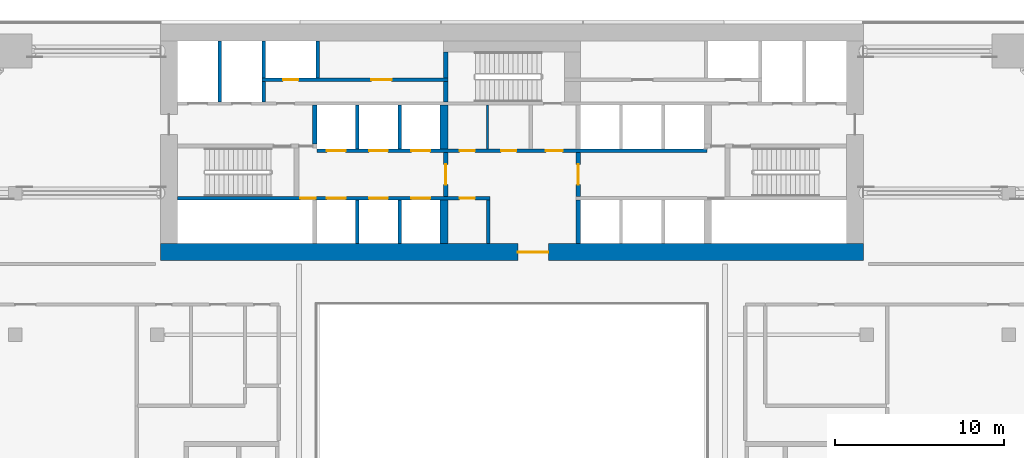
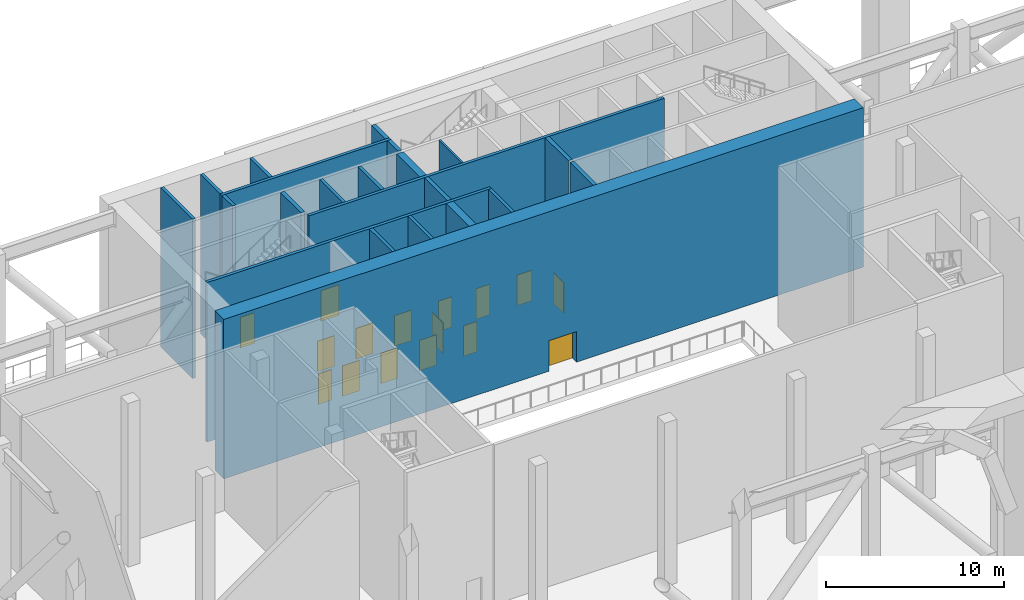
# One storey, part 5 of 19: 22 walls, 16 doors, 16 openings.
"""IFC4 building model written with IfcOpenShell, lengths in metres."""

from ifc_helpers import new_model, si_unit, direction, frame, frame_2d, origin, place, context, subcontext, project, spatial, rectangle, extrude, material, layer, layer_set, type_object, element, fill, save


model = new_model("IFC4")

# Units and contexts
model_context = context("Model", 3, precision=1e-05, world=origin(), true_north=direction((0.0, 1.0)))
body_context = subcontext(model_context, "Body", "Model", "MODEL_VIEW")
ifc_project = project(units=[si_unit("LENGTHUNIT", "METRE"), si_unit("AREAUNIT", "SQUARE_METRE"), si_unit("VOLUMEUNIT", "CUBIC_METRE"), si_unit("PLANEANGLEUNIT", "RADIAN"), si_unit("MASSUNIT", "GRAM", prefix="KILO")], contexts=[model_context])

# Site, building, storey
site_placement = place(None, origin())
site = spatial("IfcSite", under=ifc_project, at=site_placement, CompositionType="ELEMENT")
building_placement = place(site_placement, origin())
building = spatial("IfcBuilding", under=site, at=building_placement, Name="Saffron Gate Tower", CompositionType="ELEMENT")
storey_placement = place(building_placement, frame((0.0, 0.0, 84.0)))
storey = spatial("IfcBuildingStorey", under=building, at=storey_placement, Name="L20", CompositionType="ELEMENT", Elevation=84.0)

# Wall
ifc_material_1 = material(Name="Gypsum board partition on steel studs", Category="steel")
ifc_layer_1 = layer(ifc_material_1, 0.199951171875)
ifc_layer_set_1 = layer_set([ifc_layer_1], Name="CW10 Core partition 200")
wall_type_1 = type_object("IfcWallType", Name="CW10 Core partition 200", PredefinedType="PARTITIONING", material=ifc_layer_set_1)
wall_1_placement = place(storey_placement, frame((86.199951171875, 62.39990234375, 0.0), z_axis=(0.0, 0.0, 1.0), x_axis=(0.0, 1.0, 0.0)))
element("IfcWall", 1, at=wall_1_placement, inside=storey, type_object=wall_type_1, Name="Wall CW10-L20-9", PredefinedType="PARTITIONING", context=body_context, shape_type="SweptSolid", body=[
    extrude(rectangle(XDim=2.60009765625, YDim=0.199951171875, at=frame_2d((1.300048828125, 0.0))), origin(), (0.0, 0.0, 1.0), 10.969970703125),
])

# Wall, opening, door
ifc_material_2 = material(Name="Concrete C70", Category="concrete")
ifc_layer_2 = layer(ifc_material_2, 1.0)
ifc_layer_set_2 = layer_set([ifc_layer_2], Name="CW12 RC core wall 1000 C70")
wall_type_2 = type_object("IfcWallType", Name="CW12 RC core wall 1000 C70", PredefinedType="SOLIDWALL", material=ifc_layer_set_2)
wall_2_placement = place(storey_placement, frame((66.800048828125, 61.89990234375, 0.0), z_axis=(0.0, 0.0, 1.0), x_axis=(1.0, 0.0, 0.0)))
wall_2 = element("IfcWall", 2, at=wall_2_placement, inside=storey, type_object=wall_type_2, Name="Wall CW12-L20-1", PredefinedType="SOLIDWALL", context=body_context, shape_type="SweptSolid", body=[
    extrude(rectangle(XDim=41.599853515625, YDim=1.0, at=frame_2d((20.7998046875, 0.0))), origin(), (0.0, 0.0, 1.0), 10.969970703125),
])
opening_1_placement = place(wall_2_placement, frame((21.14990234375, 0.0, 0.0)))
opening_1 = element("IfcOpeningElement", 3, at=opening_1_placement, cuts=wall_2, Name="Opening CR-09", PredefinedType="OPENING", context=body_context, shape_type="SweptSolid", body=[
    extrude(rectangle(XDim=1.800048828125, YDim=2.10009765625, at=frame_2d((0.89990234375, 1.050048828125))), frame((0.0, 0.510009765625, 0.0), z_axis=(0.0, -1.0, 0.0), x_axis=(1.0, 0.0, 0.0)), (0.0, 0.0, 1.0), 1.02001953125),
])
ifc_material_3 = material(Name="Steel fire door set", Category="steel")
door_type_1 = type_object("IfcDoorType", Name="CD1 Core entrance door 1800x2100 EI 120", OperationType="NOTDEFINED", PredefinedType="DOOR", material=ifc_material_3)
door_1_placement = place(opening_1_placement, origin())
door_1 = element("IfcDoor", 4, at=door_1_placement, inside=storey, type_object=door_type_1, Name="DOOR CR-09", OperationType="DOUBLE_DOOR_SINGLE_SWING", OverallHeight=2.10009765625, OverallWidth=1.800048828125, PredefinedType="DOOR", context=body_context, shape_type="SweptSolid", body=[
    extrude(rectangle(XDim=1.800048828125, YDim=2.10009765625, at=frame_2d((0.89990234375, 1.050048828125))), frame((0.0, 0.02490234375, 0.0), z_axis=(0.0, -1.0, 0.0), x_axis=(1.0, 0.0, 0.0)), (0.0, 0.0, 1.0), 0.050048828125),
])
fill(opening_1, door_1)

# Wall
ifc_layer_3 = layer(ifc_material_2, 0.25)
ifc_layer_set_3 = layer_set([ifc_layer_3], Name="CW2 RC core wall 250 C70")
wall_type_3 = type_object("IfcWallType", Name="CW2 RC core wall 250 C70", PredefinedType="SOLIDWALL", material=ifc_layer_set_3)
wall_3_placement = place(storey_placement, frame((91.52490234375, 62.39990234375, 0.0), z_axis=(0.0, 0.0, 1.0), x_axis=(0.0, 1.0, 0.0)))
element("IfcWall", 5, at=wall_3_placement, inside=storey, type_object=wall_type_3, Name="Wall CW2-L20-10", PredefinedType="SOLIDWALL", context=body_context, shape_type="SweptSolid", body=[
    extrude(rectangle(XDim=2.60009765625, YDim=0.25, at=frame_2d((1.300048828125, 0.0))), origin(), (0.0, 0.0, 1.0), 10.969970703125),
])

# Wall, opening, door
wall_4_placement = place(storey_placement, frame((83.675048828125, 65.199951171875, 0.0), z_axis=(0.0, 0.0, 1.0), x_axis=(0.0, 1.0, 0.0)))
wall_4 = element("IfcWall", 6, at=wall_4_placement, inside=storey, type_object=wall_type_3, Name="Wall CW2-L20-17", PredefinedType="SOLIDWALL", context=body_context, shape_type="SweptSolid", body=[
    extrude(rectangle(XDim=2.60009765625, YDim=0.25, at=frame_2d((1.300048828125, 0.0))), origin(), (0.0, 0.0, 1.0), 10.969970703125),
])
opening_2_placement = place(wall_4_placement, frame((0.699951171875, 0.0, 0.0)))
opening_2 = element("IfcOpeningElement", 7, at=opening_2_placement, cuts=wall_4, Name="Opening CR-07", PredefinedType="OPENING", context=body_context, shape_type="SweptSolid", body=[
    extrude(rectangle(XDim=1.199951171875, YDim=2.10009765625, at=frame_2d((0.60009765625, 1.050048828125))), frame((0.0, 0.135009765625, 0.0), z_axis=(0.0, -1.0, 0.0), x_axis=(1.0, 0.0, 0.0)), (0.0, 0.0, 1.0), 0.27001953125),
])
door_type_2 = type_object("IfcDoorType", Name="CD3 Lobby door 1200x2100 EI 120", OperationType="NOTDEFINED", PredefinedType="DOOR", material=ifc_material_3)
door_2_placement = place(opening_2_placement, origin())
door_2 = element("IfcDoor", 8, at=door_2_placement, inside=storey, type_object=door_type_2, Name="DOOR CR-07", OperationType="SINGLE_SWING_RIGHT", OverallHeight=2.10009765625, OverallWidth=1.199951171875, PredefinedType="DOOR", context=body_context, shape_type="SweptSolid", body=[
    extrude(rectangle(XDim=1.199951171875, YDim=2.10009765625, at=frame_2d((0.60009765625, 1.050048828125))), frame((0.0, 0.02490234375, 0.0), z_axis=(0.0, -1.0, 0.0), x_axis=(1.0, 0.0, 0.0)), (0.0, 0.0, 1.0), 0.050048828125),
])
fill(opening_2, door_2)

wall_5_placement = place(storey_placement, frame((91.52490234375, 65.199951171875, 0.0), z_axis=(0.0, 0.0, 1.0), x_axis=(0.0, 1.0, 0.0)))
wall_5 = element("IfcWall", 9, at=wall_5_placement, inside=storey, type_object=wall_type_3, Name="Wall CW2-L20-18", PredefinedType="SOLIDWALL", context=body_context, shape_type="SweptSolid", body=[
    extrude(rectangle(XDim=2.60009765625, YDim=0.25, at=frame_2d((1.300048828125, 0.0))), origin(), (0.0, 0.0, 1.0), 10.969970703125),
])
opening_3_placement = place(wall_5_placement, frame((0.699951171875, 0.0, 0.0)))
opening_3 = element("IfcOpeningElement", 10, at=opening_3_placement, cuts=wall_5, Name="Opening CR-01", PredefinedType="OPENING", context=body_context, shape_type="SweptSolid", body=[
    extrude(rectangle(XDim=1.199951171875, YDim=2.10009765625, at=frame_2d((0.60009765625, 1.050048828125))), frame((0.0, 0.135009765625, 0.0), z_axis=(0.0, -1.0, 0.0), x_axis=(1.0, 0.0, 0.0)), (0.0, 0.0, 1.0), 0.27001953125),
])
door_3_placement = place(opening_3_placement, origin())
door_3 = element("IfcDoor", 11, at=door_3_placement, inside=storey, type_object=door_type_2, Name="DOOR CR-01", OperationType="SINGLE_SWING_RIGHT", OverallHeight=2.10009765625, OverallWidth=1.199951171875, PredefinedType="DOOR", context=body_context, shape_type="SweptSolid", body=[
    extrude(rectangle(XDim=1.199951171875, YDim=2.10009765625, at=frame_2d((0.60009765625, 1.050048828125))), frame((0.0, 0.02490234375, 0.0), z_axis=(0.0, -1.0, 0.0), x_axis=(1.0, 0.0, 0.0)), (0.0, 0.0, 1.0), 0.050048828125),
])
fill(opening_3, door_3)

# Walls
wall_6_placement = place(storey_placement, frame((75.925048828125, 68.300048828125, 0.0), z_axis=(0.0, 0.0, 1.0), x_axis=(0.0, 1.0, 0.0)))
element("IfcWall", 12, at=wall_6_placement, inside=storey, type_object=wall_type_3, Name="Wall CW2-L20-32", PredefinedType="SOLIDWALL", context=body_context, shape_type="SweptSolid", body=[
    extrude(rectangle(XDim=2.300048828125, YDim=0.25, at=frame_2d((1.14990234375, 0.0))), origin(), (0.0, 0.0, 1.0), 10.969970703125),
])
wall_7_placement = place(storey_placement, frame((83.675048828125, 70.800048828125, 0.0), z_axis=(0.0, 0.0, 1.0), x_axis=(0.0, 1.0, 0.0)))
element("IfcWall", 13, at=wall_7_placement, inside=storey, type_object=wall_type_3, Name="Wall CW2-L20-37", PredefinedType="SOLIDWALL", context=body_context, shape_type="SweptSolid", body=[
    extrude(rectangle(XDim=1.199951171875, YDim=0.25, at=frame_2d((0.60009765625, 0.0))), origin(), (0.0, 0.0, 1.0), 10.969970703125),
])
wall_8_placement = place(storey_placement, frame((83.675048828125, 72.199951171875, 0.0), z_axis=(0.0, 0.0, 1.0), x_axis=(0.0, 1.0, 0.0)))
element("IfcWall", 14, at=wall_8_placement, inside=storey, type_object=wall_type_3, Name="Wall CW2-L20-45", PredefinedType="SOLIDWALL", context=body_context, shape_type="SweptSolid", body=[
    extrude(rectangle(XDim=1.550048828125, YDim=0.25, at=frame_2d((0.77490234375, 0.0))), origin(), (0.0, 0.0, 1.0), 10.969970703125),
])
ifc_layer_4 = layer(ifc_material_2, 0.199951171875)
ifc_layer_set_4 = layer_set([ifc_layer_4], Name="CW3 RC core wall 200 C70")
wall_type_4 = type_object("IfcWallType", Name="CW3 RC core wall 200 C70", PredefinedType="SOLIDWALL", material=ifc_layer_set_4)
for number, where, z_axis, x_axis, name in (
    (15, (78.449951171875, 62.39990234375, 0.0), (0.0, 0.0, 1.0), (0.0, 1.0, 0.0), "Wall CW3-L20-6"),
    (16, (80.949951171875, 62.39990234375, 0.0), (0.0, 0.0, 1.0), (0.0, 1.0, 0.0), "Wall CW3-L20-7"),
):
    element("IfcWall", number, at=place(storey_placement, frame(where, z_axis=z_axis, x_axis=x_axis)), inside=storey, type_object=wall_type_4, Name=name, PredefinedType="SOLIDWALL", context=body_context, shape_type="SweptSolid", body=[
        extrude(rectangle(XDim=2.60009765625, YDim=0.199951171875, at=frame_2d((1.300048828125, 0.0))), origin(), (0.0, 0.0, 1.0), 10.969970703125),
    ])

# Wall, openings, doors
wall_9_placement = place(storey_placement, frame((67.800048828125, 65.10009765625, 0.0), z_axis=(0.0, 0.0, 1.0), x_axis=(1.0, 0.0, 0.0)))
wall_9 = element("IfcWall", 17, at=wall_9_placement, inside=storey, type_object=wall_type_4, Name="Wall CW3-L20-14", PredefinedType="SOLIDWALL", context=body_context, shape_type="SweptSolid", body=[
    extrude(rectangle(XDim=18.5, YDim=0.199951171875, at=frame_2d((9.25, 0.0))), origin(), (0.0, 0.0, 1.0), 10.969970703125),
])
opening_4_placement = place(wall_9_placement, frame((7.27001953125, 0.0, 0.0)))
opening_4 = element("IfcOpeningElement", 18, at=opening_4_placement, cuts=wall_9, Name="Opening CR-49", PredefinedType="OPENING", context=body_context, shape_type="SweptSolid", body=[
    extrude(rectangle(XDim=0.89990234375, YDim=2.10009765625, at=frame_2d((0.449951171875, 1.050048828125))), frame((0.0, 0.10986328125, 0.0), z_axis=(0.0, -1.0, 0.0), x_axis=(1.0, 0.0, 0.0)), (0.0, 0.0, 1.0), 0.219970703125),
])
opening_5_placement = place(wall_9_placement, frame((8.85009765625, 0.0, 0.0)))
opening_5 = element("IfcOpeningElement", 19, at=opening_5_placement, cuts=wall_9, Name="Opening LD-LR1", PredefinedType="OPENING", context=body_context, shape_type="SweptSolid", body=[
    extrude(rectangle(XDim=1.10009765625, YDim=2.10009765625, at=frame_2d((0.550048828125, 1.050048828125))), frame((0.0, 0.10986328125, 0.0), z_axis=(0.0, -1.0, 0.0), x_axis=(1.0, 0.0, 0.0)), (0.0, 0.0, 1.0), 0.219970703125),
])
opening_6_placement = place(wall_9_placement, frame((11.35009765625, 0.0, 0.0)))
opening_6 = element("IfcOpeningElement", 20, at=opening_6_placement, cuts=wall_9, Name="Opening LD-LR2", PredefinedType="OPENING", context=body_context, shape_type="SweptSolid", body=[
    extrude(rectangle(XDim=1.10009765625, YDim=2.10009765625, at=frame_2d((0.550048828125, 1.050048828125))), frame((0.0, 0.10986328125, 0.0), z_axis=(0.0, -1.0, 0.0), x_axis=(1.0, 0.0, 0.0)), (0.0, 0.0, 1.0), 0.219970703125),
])
opening_7_placement = place(wall_9_placement, frame((13.85009765625, 0.0, 0.0)))
opening_7 = element("IfcOpeningElement", 21, at=opening_7_placement, cuts=wall_9, Name="Opening LD-LR3", PredefinedType="OPENING", context=body_context, shape_type="SweptSolid", body=[
    extrude(rectangle(XDim=1.10009765625, YDim=2.10009765625, at=frame_2d((0.550048828125, 1.050048828125))), frame((0.0, 0.10986328125, 0.0), z_axis=(0.0, -1.0, 0.0), x_axis=(1.0, 0.0, 0.0)), (0.0, 0.0, 1.0), 0.219970703125),
])
opening_8_placement = place(wall_9_placement, frame((16.699951171875, 0.0, 0.0)))
opening_8 = element("IfcOpeningElement", 22, at=opening_8_placement, cuts=wall_9, Name="Opening CR-69", PredefinedType="OPENING", context=body_context, shape_type="SweptSolid", body=[
    extrude(rectangle(XDim=0.89990234375, YDim=2.10009765625, at=frame_2d((0.449951171875, 1.050048828125))), frame((0.0, 0.10986328125, 0.0), z_axis=(0.0, -1.0, 0.0), x_axis=(1.0, 0.0, 0.0)), (0.0, 0.0, 1.0), 0.219970703125),
])
door_type_3 = type_object("IfcDoorType", Name="CD2 Riser door 900x2100 EI 60", OperationType="NOTDEFINED", PredefinedType="DOOR", material=ifc_material_3)
door_4_placement = place(opening_4_placement, origin())
door_4 = element("IfcDoor", 23, at=door_4_placement, inside=storey, type_object=door_type_3, Name="DOOR CR-49", OperationType="SINGLE_SWING_LEFT", OverallHeight=2.10009765625, OverallWidth=0.89990234375, PredefinedType="DOOR", context=body_context, shape_type="SweptSolid", body=[
    extrude(rectangle(XDim=0.89990234375, YDim=2.10009765625, at=frame_2d((0.449951171875, 1.050048828125))), frame((0.0, 0.02490234375, 0.0), z_axis=(0.0, -1.0, 0.0), x_axis=(1.0, 0.0, 0.0)), (0.0, 0.0, 1.0), 0.050048828125),
])
fill(opening_4, door_4)
door_type_4 = type_object("IfcDoorType", Name="CD9 Room door 900x2100 EI 60", OperationType="NOTDEFINED", PredefinedType="DOOR", material=ifc_material_3)
door_5_placement = place(opening_8_placement, origin())
door_5 = element("IfcDoor", 24, at=door_5_placement, inside=storey, type_object=door_type_4, Name="DOOR CR-69", OperationType="SINGLE_SWING_RIGHT", OverallHeight=2.10009765625, OverallWidth=0.89990234375, PredefinedType="DOOR", context=body_context, shape_type="SweptSolid", body=[
    extrude(rectangle(XDim=0.89990234375, YDim=2.10009765625, at=frame_2d((0.449951171875, 1.050048828125))), frame((0.0, 0.02490234375, 0.0), z_axis=(0.0, -1.0, 0.0), x_axis=(1.0, 0.0, 0.0)), (0.0, 0.0, 1.0), 0.050048828125),
])
fill(opening_8, door_5)
ifc_material_4 = material(Name="Stainless steel landing door", Category="steel")
door_type_5 = type_object("IfcDoorType", Name="LD Lift landing door 1100x2100 EI 120", OperationType="SLIDING_TO_LEFT", PredefinedType="DOOR", material=ifc_material_4)
door_6_placement = place(opening_5_placement, origin())
door_6 = element("IfcDoor", 25, at=door_6_placement, inside=storey, type_object=door_type_5, Name="LANDING DOOR LD-LR1", OperationType="SLIDING_TO_LEFT", OverallHeight=2.10009765625, OverallWidth=1.10009765625, PredefinedType="DOOR", context=body_context, shape_type="SweptSolid", body=[
    extrude(rectangle(XDim=1.10009765625, YDim=2.10009765625, at=frame_2d((0.550048828125, 1.050048828125))), frame((0.0, 0.02490234375, 0.0), z_axis=(0.0, -1.0, 0.0), x_axis=(1.0, 0.0, 0.0)), (0.0, 0.0, 1.0), 0.050048828125),
])
fill(opening_5, door_6)
door_7_placement = place(opening_6_placement, origin())
door_7 = element("IfcDoor", 26, at=door_7_placement, inside=storey, type_object=door_type_5, Name="LANDING DOOR LD-LR2", OperationType="SLIDING_TO_LEFT", OverallHeight=2.10009765625, OverallWidth=1.10009765625, PredefinedType="DOOR", context=body_context, shape_type="SweptSolid", body=[
    extrude(rectangle(XDim=1.10009765625, YDim=2.10009765625, at=frame_2d((0.550048828125, 1.050048828125))), frame((0.0, 0.02490234375, 0.0), z_axis=(0.0, -1.0, 0.0), x_axis=(1.0, 0.0, 0.0)), (0.0, 0.0, 1.0), 0.050048828125),
])
fill(opening_6, door_7)
door_8_placement = place(opening_7_placement, origin())
door_8 = element("IfcDoor", 27, at=door_8_placement, inside=storey, type_object=door_type_5, Name="LANDING DOOR LD-LR3", OperationType="SLIDING_TO_LEFT", OverallHeight=2.10009765625, OverallWidth=1.10009765625, PredefinedType="DOOR", context=body_context, shape_type="SweptSolid", body=[
    extrude(rectangle(XDim=1.10009765625, YDim=2.10009765625, at=frame_2d((0.550048828125, 1.050048828125))), frame((0.0, 0.02490234375, 0.0), z_axis=(0.0, -1.0, 0.0), x_axis=(1.0, 0.0, 0.0)), (0.0, 0.0, 1.0), 0.050048828125),
])
fill(opening_7, door_8)

wall_10_placement = place(storey_placement, frame((76.050048828125, 67.89990234375, 0.0), z_axis=(0.0, 0.0, 1.0), x_axis=(1.0, 0.0, 0.0)))
wall_10 = element("IfcWall", 28, at=wall_10_placement, inside=storey, type_object=wall_type_4, Name="Wall CW3-L20-20", PredefinedType="SOLIDWALL", context=body_context, shape_type="SweptSolid", body=[
    extrude(rectangle(XDim=23.099853515625, YDim=0.199951171875, at=frame_2d((11.5498046875, 0.0))), origin(), (0.0, 0.0, 1.0), 10.969970703125),
])
opening_9_placement = place(wall_10_placement, frame((0.60009765625, 0.0, 0.0)))
opening_9 = element("IfcOpeningElement", 29, at=opening_9_placement, cuts=wall_10, Name="Opening LD-LR4", PredefinedType="OPENING", context=body_context, shape_type="SweptSolid", body=[
    extrude(rectangle(XDim=1.10009765625, YDim=2.10009765625, at=frame_2d((0.550048828125, 1.050048828125))), frame((0.0, 0.10986328125, 0.0), z_axis=(0.0, -1.0, 0.0), x_axis=(1.0, 0.0, 0.0)), (0.0, 0.0, 1.0), 0.219970703125),
])
opening_10_placement = place(wall_10_placement, frame((3.10009765625, 0.0, 0.0)))
opening_10 = element("IfcOpeningElement", 30, at=opening_10_placement, cuts=wall_10, Name="Opening LD-LR5", PredefinedType="OPENING", context=body_context, shape_type="SweptSolid", body=[
    extrude(rectangle(XDim=1.10009765625, YDim=2.10009765625, at=frame_2d((0.550048828125, 1.050048828125))), frame((0.0, 0.10986328125, 0.0), z_axis=(0.0, -1.0, 0.0), x_axis=(1.0, 0.0, 0.0)), (0.0, 0.0, 1.0), 0.219970703125),
])
opening_11_placement = place(wall_10_placement, frame((5.60009765625, 0.0, 0.0)))
opening_11 = element("IfcOpeningElement", 31, at=opening_11_placement, cuts=wall_10, Name="Opening LD-LR6", PredefinedType="OPENING", context=body_context, shape_type="SweptSolid", body=[
    extrude(rectangle(XDim=1.10009765625, YDim=2.10009765625, at=frame_2d((0.550048828125, 1.050048828125))), frame((0.0, 0.10986328125, 0.0), z_axis=(0.0, -1.0, 0.0), x_axis=(1.0, 0.0, 0.0)), (0.0, 0.0, 1.0), 0.219970703125),
])
opening_12_placement = place(wall_10_placement, frame((8.449951171875, 0.0, 0.0)))
opening_12 = element("IfcOpeningElement", 32, at=opening_12_placement, cuts=wall_10, Name="Opening CR-67", PredefinedType="OPENING", context=body_context, shape_type="SweptSolid", body=[
    extrude(rectangle(XDim=0.89990234375, YDim=2.10009765625, at=frame_2d((0.449951171875, 1.050048828125))), frame((0.0, 0.10986328125, 0.0), z_axis=(0.0, -1.0, 0.0), x_axis=(1.0, 0.0, 0.0)), (0.0, 0.0, 1.0), 0.219970703125),
])
opening_13_placement = place(wall_10_placement, frame((10.909912109375, 0.0, 0.0)))
opening_13 = element("IfcOpeningElement", 33, at=opening_13_placement, cuts=wall_10, Name="Opening CR-68", PredefinedType="OPENING", context=body_context, shape_type="SweptSolid", body=[
    extrude(rectangle(XDim=0.89990234375, YDim=2.10009765625, at=frame_2d((0.449951171875, 1.050048828125))), frame((0.0, 0.10986328125, 0.0), z_axis=(0.0, -1.0, 0.0), x_axis=(1.0, 0.0, 0.0)), (0.0, 0.0, 1.0), 0.219970703125),
])
opening_14_placement = place(wall_10_placement, frame((13.550048828125, 0.0, 0.0)))
opening_14 = element("IfcOpeningElement", 34, at=opening_14_placement, cuts=wall_10, Name="Opening CR-02", PredefinedType="OPENING", context=body_context, shape_type="SweptSolid", body=[
    extrude(rectangle(XDim=1.0, YDim=2.10009765625, at=frame_2d((0.5, 1.050048828125))), frame((0.0, 0.10986328125, 0.0), z_axis=(0.0, -1.0, 0.0), x_axis=(1.0, 0.0, 0.0)), (0.0, 0.0, 1.0), 0.219970703125),
])
door_type_6 = type_object("IfcDoorType", Name="CD4 Lobby door 1000x2100 EI 120", OperationType="NOTDEFINED", PredefinedType="DOOR", material=ifc_material_3)
door_9_placement = place(opening_14_placement, origin())
door_9 = element("IfcDoor", 35, at=door_9_placement, inside=storey, type_object=door_type_6, Name="DOOR CR-02", OperationType="SINGLE_SWING_LEFT", OverallHeight=2.10009765625, OverallWidth=1.0, PredefinedType="DOOR", context=body_context, shape_type="SweptSolid", body=[
    extrude(rectangle(XDim=1.0, YDim=2.10009765625, at=frame_2d((0.5, 1.050048828125))), frame((0.0, 0.02490234375, 0.0), z_axis=(0.0, -1.0, 0.0), x_axis=(1.0, 0.0, 0.0)), (0.0, 0.0, 1.0), 0.050048828125),
])
fill(opening_14, door_9)
door_10_placement = place(opening_12_placement, origin())
door_10 = element("IfcDoor", 36, at=door_10_placement, inside=storey, type_object=door_type_4, Name="DOOR CR-67", OperationType="SINGLE_SWING_LEFT", OverallHeight=2.10009765625, OverallWidth=0.89990234375, PredefinedType="DOOR", context=body_context, shape_type="SweptSolid", body=[
    extrude(rectangle(XDim=0.89990234375, YDim=2.10009765625, at=frame_2d((0.449951171875, 1.050048828125))), frame((0.0, 0.02490234375, 0.0), z_axis=(0.0, -1.0, 0.0), x_axis=(1.0, 0.0, 0.0)), (0.0, 0.0, 1.0), 0.050048828125),
])
fill(opening_12, door_10)
door_11_placement = place(opening_13_placement, origin())
door_11 = element("IfcDoor", 37, at=door_11_placement, inside=storey, type_object=door_type_4, Name="DOOR CR-68", OperationType="SINGLE_SWING_LEFT", OverallHeight=2.10009765625, OverallWidth=0.89990234375, PredefinedType="DOOR", context=body_context, shape_type="SweptSolid", body=[
    extrude(rectangle(XDim=0.89990234375, YDim=2.10009765625, at=frame_2d((0.449951171875, 1.050048828125))), frame((0.0, 0.02490234375, 0.0), z_axis=(0.0, -1.0, 0.0), x_axis=(1.0, 0.0, 0.0)), (0.0, 0.0, 1.0), 0.050048828125),
])
fill(opening_13, door_11)
door_12_placement = place(opening_9_placement, origin())
door_12 = element("IfcDoor", 38, at=door_12_placement, inside=storey, type_object=door_type_5, Name="LANDING DOOR LD-LR4", OperationType="SLIDING_TO_RIGHT", OverallHeight=2.10009765625, OverallWidth=1.10009765625, PredefinedType="DOOR", context=body_context, shape_type="SweptSolid", body=[
    extrude(rectangle(XDim=1.10009765625, YDim=2.10009765625, at=frame_2d((0.550048828125, 1.050048828125))), frame((0.0, 0.02490234375, 0.0), z_axis=(0.0, -1.0, 0.0), x_axis=(1.0, 0.0, 0.0)), (0.0, 0.0, 1.0), 0.050048828125),
])
fill(opening_9, door_12)
door_13_placement = place(opening_10_placement, origin())
door_13 = element("IfcDoor", 39, at=door_13_placement, inside=storey, type_object=door_type_5, Name="LANDING DOOR LD-LR5", OperationType="SLIDING_TO_RIGHT", OverallHeight=2.10009765625, OverallWidth=1.10009765625, PredefinedType="DOOR", context=body_context, shape_type="SweptSolid", body=[
    extrude(rectangle(XDim=1.10009765625, YDim=2.10009765625, at=frame_2d((0.550048828125, 1.050048828125))), frame((0.0, 0.02490234375, 0.0), z_axis=(0.0, -1.0, 0.0), x_axis=(1.0, 0.0, 0.0)), (0.0, 0.0, 1.0), 0.050048828125),
])
fill(opening_10, door_13)
door_14_placement = place(opening_11_placement, origin())
door_14 = element("IfcDoor", 40, at=door_14_placement, inside=storey, type_object=door_type_5, Name="LANDING DOOR LD-LR6", OperationType="SLIDING_TO_RIGHT", OverallHeight=2.10009765625, OverallWidth=1.10009765625, PredefinedType="DOOR", context=body_context, shape_type="SweptSolid", body=[
    extrude(rectangle(XDim=1.10009765625, YDim=2.10009765625, at=frame_2d((0.550048828125, 1.050048828125))), frame((0.0, 0.02490234375, 0.0), z_axis=(0.0, -1.0, 0.0), x_axis=(1.0, 0.0, 0.0)), (0.0, 0.0, 1.0), 0.050048828125),
])
fill(opening_11, door_14)

# Walls
for number, where, z_axis, x_axis, name in (
    (41, (78.449951171875, 68.0, 0.0), (0.0, 0.0, 1.0), (0.0, 1.0, 0.0), "Wall CW3-L20-21"),
    (42, (80.949951171875, 68.0, 0.0), (0.0, 0.0, 1.0), (0.0, 1.0, 0.0), "Wall CW3-L20-22"),
):
    element("IfcWall", number, at=place(storey_placement, frame(where, z_axis=z_axis, x_axis=x_axis)), inside=storey, type_object=wall_type_4, Name=name, PredefinedType="SOLIDWALL", context=body_context, shape_type="SweptSolid", body=[
        extrude(rectangle(XDim=2.60009765625, YDim=0.199951171875, at=frame_2d((1.300048828125, 0.0))), origin(), (0.0, 0.0, 1.0), 10.969970703125),
    ])
wall_11_placement = place(storey_placement, frame((70.300048828125, 70.800048828125, 0.0), z_axis=(0.0, 0.0, 1.0), x_axis=(0.0, 1.0, 0.0)))
element("IfcWall", 43, at=wall_11_placement, inside=storey, type_object=wall_type_4, Name="Wall CW3-L20-35", PredefinedType="SOLIDWALL", context=body_context, shape_type="SweptSolid", body=[
    extrude(rectangle(XDim=3.599853515625, YDim=0.199951171875, at=frame_2d((1.7998046875, 0.0))), origin(), (0.0, 0.0, 1.0), 10.969970703125),
])
wall_12_placement = place(storey_placement, frame((72.89990234375, 70.800048828125, 0.0), z_axis=(0.0, 0.0, 1.0), x_axis=(0.0, 1.0, 0.0)))
element("IfcWall", 44, at=wall_12_placement, inside=storey, type_object=wall_type_4, Name="Wall CW3-L20-36", PredefinedType="SOLIDWALL", context=body_context, shape_type="SweptSolid", body=[
    extrude(rectangle(XDim=1.199951171875, YDim=0.199951171875, at=frame_2d((0.60009765625, 0.0))), origin(), (0.0, 0.0, 1.0), 10.969970703125),
])

# Wall, openings, doors
wall_13_placement = place(storey_placement, frame((72.800048828125, 72.10009765625, 0.0), z_axis=(0.0, 0.0, 1.0), x_axis=(1.0, 0.0, 0.0)))
wall_13 = element("IfcWall", 45, at=wall_13_placement, inside=storey, type_object=wall_type_4, Name="Wall CW3-L20-41", PredefinedType="SOLIDWALL", context=body_context, shape_type="SweptSolid", body=[
    extrude(rectangle(XDim=11.0, YDim=0.199951171875, at=frame_2d((5.5, 0.0))), origin(), (0.0, 0.0, 1.0), 10.969970703125),
])
opening_15_placement = place(wall_13_placement, frame((1.25, 0.0, 0.0)))
opening_15 = element("IfcOpeningElement", 46, at=opening_15_placement, cuts=wall_13, Name="Opening CR-71", PredefinedType="OPENING", context=body_context, shape_type="SweptSolid", body=[
    extrude(rectangle(XDim=0.89990234375, YDim=2.10009765625, at=frame_2d((0.449951171875, 1.050048828125))), frame((0.0, 0.10986328125, 0.0), z_axis=(0.0, -1.0, 0.0), x_axis=(1.0, 0.0, 0.0)), (0.0, 0.0, 1.0), 0.219970703125),
])
opening_16_placement = place(wall_13_placement, frame((6.47509765625, 0.0, 0.0)))
opening_16 = element("IfcOpeningElement", 47, at=opening_16_placement, cuts=wall_13, Name="Opening CR-57", PredefinedType="OPENING", context=body_context, shape_type="SweptSolid", body=[
    extrude(rectangle(XDim=1.199951171875, YDim=2.10009765625, at=frame_2d((0.60009765625, 1.050048828125))), frame((0.0, 0.10986328125, 0.0), z_axis=(0.0, -1.0, 0.0), x_axis=(1.0, 0.0, 0.0)), (0.0, 0.0, 1.0), 0.219970703125),
])
door_type_7 = type_object("IfcDoorType", Name="CD10 Room door 1200x2100 EI 60", OperationType="NOTDEFINED", PredefinedType="DOOR", material=ifc_material_3)
door_15_placement = place(opening_16_placement, origin())
door_15 = element("IfcDoor", 48, at=door_15_placement, inside=storey, type_object=door_type_7, Name="DOOR CR-57", OperationType="SINGLE_SWING_LEFT", OverallHeight=2.10009765625, OverallWidth=1.199951171875, PredefinedType="DOOR", context=body_context, shape_type="SweptSolid", body=[
    extrude(rectangle(XDim=1.199951171875, YDim=2.10009765625, at=frame_2d((0.60009765625, 1.050048828125))), frame((0.0, 0.02490234375, 0.0), z_axis=(0.0, -1.0, 0.0), x_axis=(1.0, 0.0, 0.0)), (0.0, 0.0, 1.0), 0.050048828125),
])
fill(opening_16, door_15)
door_16_placement = place(opening_15_placement, origin())
door_16 = element("IfcDoor", 49, at=door_16_placement, inside=storey, type_object=door_type_3, Name="DOOR CR-71", OperationType="SINGLE_SWING_LEFT", OverallHeight=2.10009765625, OverallWidth=0.89990234375, PredefinedType="DOOR", context=body_context, shape_type="SweptSolid", body=[
    extrude(rectangle(XDim=0.89990234375, YDim=2.10009765625, at=frame_2d((0.449951171875, 1.050048828125))), frame((0.0, 0.02490234375, 0.0), z_axis=(0.0, -1.0, 0.0), x_axis=(1.0, 0.0, 0.0)), (0.0, 0.0, 1.0), 0.050048828125),
])
fill(opening_15, door_16)

# Walls
for number, where, z_axis, x_axis, name in (
    (50, (72.89990234375, 72.199951171875, 0.0), (0.0, 0.0, 1.0), (0.0, 1.0, 0.0), "Wall CW3-L20-43"),
    (51, (76.10009765625, 72.199951171875, 0.0), (0.0, 0.0, 1.0), (0.0, 1.0, 0.0), "Wall CW3-L20-44"),
):
    element("IfcWall", number, at=place(storey_placement, frame(where, z_axis=z_axis, x_axis=x_axis)), inside=storey, type_object=wall_type_4, Name=name, PredefinedType="SOLIDWALL", context=body_context, shape_type="SweptSolid", body=[
        extrude(rectangle(XDim=2.199951171875, YDim=0.199951171875, at=frame_2d((1.10009765625, 0.0))), origin(), (0.0, 0.0, 1.0), 10.969970703125),
    ])
ifc_layer_5 = layer(ifc_material_2, 0.449951171875)
ifc_layer_set_5 = layer_set([ifc_layer_5], Name="CW4 RC core wall 450 C70")
wall_type_5 = type_object("IfcWallType", Name="CW4 RC core wall 450 C70", PredefinedType="SOLIDWALL", material=ifc_layer_set_5)
for number, where, z_axis, x_axis, name in (
    (52, (83.574951171875, 62.39990234375, 0.0), (0.0, 0.0, 1.0), (0.0, 1.0, 0.0), "Wall CW4-L20-8"),
    (53, (83.574951171875, 68.0, 0.0), (0.0, 0.0, 1.0), (0.0, 1.0, 0.0), "Wall CW4-L20-23"),
):
    element("IfcWall", number, at=place(storey_placement, frame(where, z_axis=z_axis, x_axis=x_axis)), inside=storey, type_object=wall_type_5, Name=name, PredefinedType="SOLIDWALL", context=body_context, shape_type="SweptSolid", body=[
        extrude(rectangle(XDim=2.60009765625, YDim=0.449951171875, at=frame_2d((1.300048828125, 0.0))), origin(), (0.0, 0.0, 1.0), 10.969970703125),
    ])
ifc_layer_6 = layer(ifc_material_1, 0.1201171875)
ifc_layer_set_6 = layer_set([ifc_layer_6], Name="CW8 Core partition 120")
wall_type_6 = type_object("IfcWallType", Name="CW8 Core partition 120", PredefinedType="PARTITIONING", material=ifc_layer_set_6)
wall_14_placement = place(storey_placement, frame((86.159912109375, 68.0, 0.0), z_axis=(0.0, 0.0, 1.0), x_axis=(0.0, 1.0, 0.0)))
element("IfcWall", 54, at=wall_14_placement, inside=storey, type_object=wall_type_6, Name="Wall CW8-L20-24", PredefinedType="PARTITIONING", context=body_context, shape_type="SweptSolid", body=[
    extrude(rectangle(XDim=2.60009765625, YDim=0.1201171875, at=frame_2d((1.300048828125, 0.0))), origin(), (0.0, 0.0, 1.0), 10.969970703125),
])

save(model, "model.ifc")
